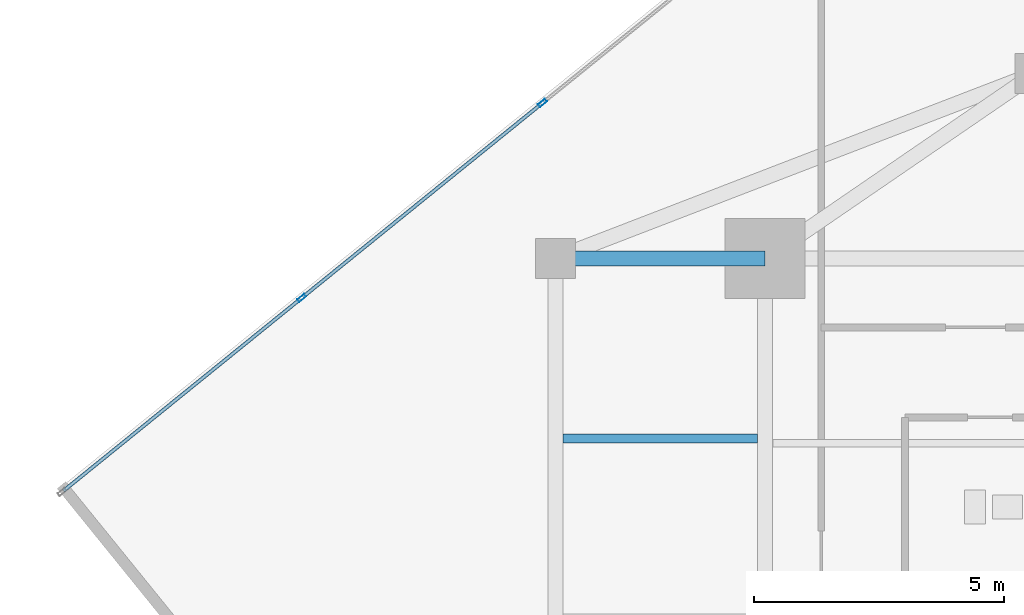
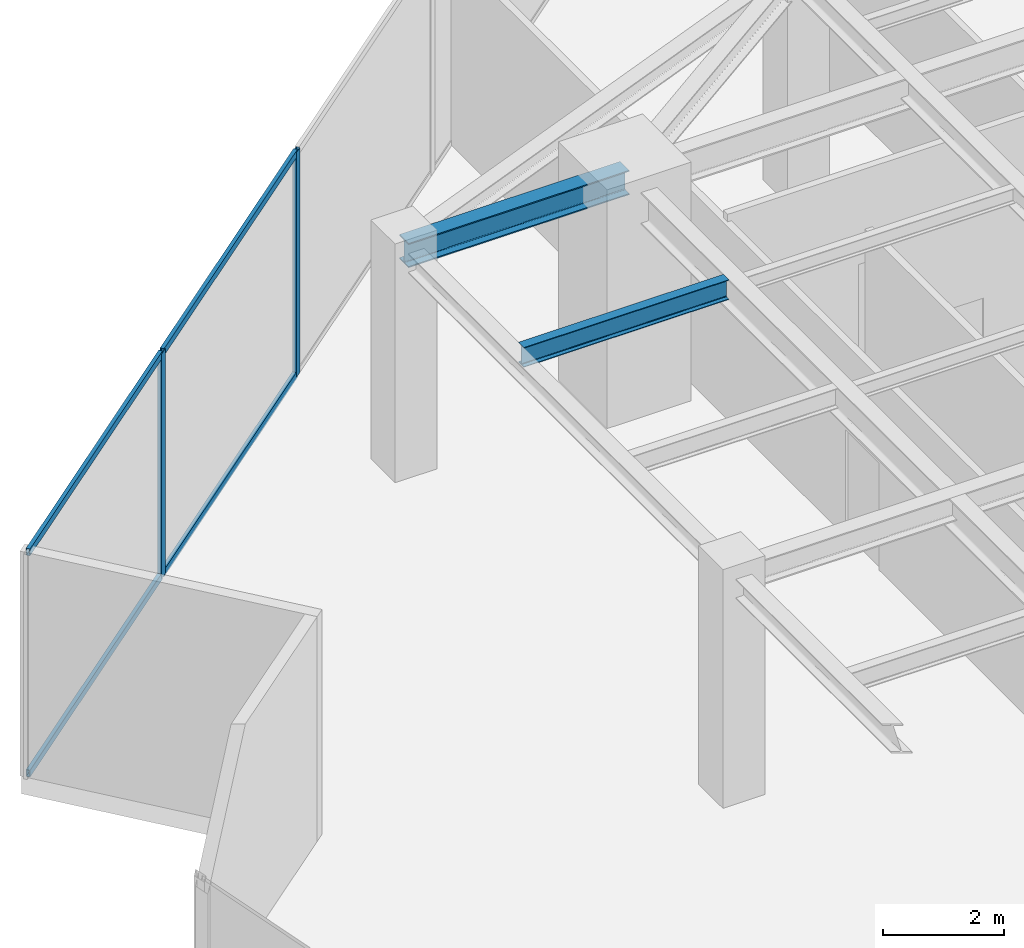
# One storey, part 11 of 22: 6 members, 2 beams, 1 element without a shape of its own.
"""IFC4 building model written with IfcOpenShell, lengths in metres."""

from ifc_helpers import new_model, si_unit, direction, frame, origin, origin_2d, place, context, subcontext, project, spatial, hollow_rectangle, i_section, extrude, source, transform, mapped, material, material_profile, profile_set, type_object, type_shapes, element, aggregate, save


model = new_model("IFC4")

# Units and contexts
model_context = context("Model", 3, precision=1e-05, world=origin(), true_north=direction((0.0, 1.0)))
body_context = subcontext(model_context, "Body", "Model", "MODEL_VIEW")
ifc_project = project(units=[si_unit("LENGTHUNIT", "METRE"), si_unit("AREAUNIT", "SQUARE_METRE"), si_unit("VOLUMEUNIT", "CUBIC_METRE"), si_unit("PLANEANGLEUNIT", "RADIAN"), si_unit("MASSUNIT", "GRAM", prefix="KILO")], contexts=[model_context])

# Site, building, storey
site_placement = place(None, origin())
site = spatial("IfcSite", under=ifc_project, at=site_placement, CompositionType="ELEMENT")
building_placement = place(site_placement, origin())
building = spatial("IfcBuilding", under=site, at=building_placement, Name="Krantzveldt Concourse Tower", CompositionType="ELEMENT")
storey_placement = place(building_placement, frame((0.0, 0.0, 262.60009765625)))
storey = spatial("IfcBuildingStorey", under=building, at=storey_placement, Name="L64", CompositionType="ELEMENT", Elevation=262.60009765625)

# Beams
ifc_material_1 = material(Name="Steel S355JR", Category="steel")
ifc_material_profile_1 = material_profile(ifc_material_1, i_section(OverallWidth=0.300048828125, OverallDepth=0.489990234375, WebThickness=0.011962890625, FlangeThickness=0.02294921875, FilletRadius=0.027099609375, at=origin_2d()), Name="Steel S355JR", Category="steel")
ifc_profile_set_1 = profile_set([ifc_material_profile_1], Name="Steel S355JR - HEA 500")
beam_type_1 = type_object("IfcBeamType", Name="BM-B-HEA500", PredefinedType="BEAM", material=ifc_profile_set_1)
shared_shape_1 = source(origin(), body_context, "Body", "SweptSolid", [
    extrude(i_section(OverallWidth=0.300048828125, OverallDepth=0.489990234375, WebThickness=0.011962890625, FlangeThickness=0.02294921875, FilletRadius=0.027099609375, at=origin_2d()), origin(), (0.0, 0.0, 1.0), 4.199951171875),
])
type_shapes(beam_type_1, [shared_shape_1])
beam_1_placement = place(storey_placement, frame((21.0, 37.5, 4.27490234375), z_axis=(1.0, 0.0, 0.0), x_axis=(0.0, 1.0, 0.0)))
element("IfcBeam", 1, at=beam_1_placement, inside=storey, type_object=beam_type_1, Name="L64 Tower Girder BR-RL3", PredefinedType="BEAM", context=body_context, shape_type="MappedRepresentation", body=[
    mapped(shared_shape_1, transform((0.0, 0.0, 0.0), x_axis=(1.0, 0.0, 0.0), y_axis=(0.0, 1.0, 0.0), z_axis=(0.0, 0.0, 1.0), scale=1.0)),
])
ifc_material_profile_2 = material_profile(ifc_material_1, i_section(OverallWidth=0.179931640625, OverallDepth=0.39990234375, WebThickness=0.008544921875, FlangeThickness=0.013427734375, FilletRadius=0.02099609375, at=origin_2d()), Name="Steel S355JR", Category="steel")
ifc_profile_set_2 = profile_set([ifc_material_profile_2], Name="Steel S355JR - IPE 400")
beam_type_2 = type_object("IfcBeamType", Name="BM-J-IPE400", PredefinedType="JOIST", material=ifc_profile_set_2)
shared_shape_2 = source(origin(), body_context, "Body", "SweptSolid", [
    extrude(i_section(OverallWidth=0.179931640625, OverallDepth=0.39990234375, WebThickness=0.008544921875, FlangeThickness=0.013427734375, FilletRadius=0.02099609375, at=origin_2d()), origin(), (0.0, 0.0, 1.0), 3.900146484375),
])
type_shapes(beam_type_2, [shared_shape_2])
beam_2_placement = place(storey_placement, frame((21.14990234375, 33.89990234375, 4.31982421875), z_axis=(1.0, 0.0, 0.0), x_axis=(0.0, 1.0, 0.0)))
element("IfcBeam", 2, at=beam_2_placement, inside=storey, type_object=beam_type_2, Name="L64 Secondary Floor Joist JW-4", PredefinedType="JOIST", context=body_context, shape_type="MappedRepresentation", body=[
    mapped(shared_shape_2, transform((0.0, 0.0, 0.0), x_axis=(1.0, 0.0, 0.0), y_axis=(0.0, 1.0, 0.0), z_axis=(0.0, 0.0, 1.0), scale=1.0)),
])

# Curtain wall, members
ifc_material_2 = material(Name="Anodised aluminium 6063-T6", Category="aluminium")
curtain_wall_type = type_object("IfcCurtainWallType", Name="CW5", PredefinedType="USERDEFINED", material=ifc_material_2)
curtain_wall_placement = place(storey_placement, origin())
curtain_wall = element("IfcCurtainWall", 3, at=curtain_wall_placement, inside=storey, type_object=curtain_wall_type, Name="CW-L64-F01", ObjectType="UNITISED CURTAIN WALL", PredefinedType="USERDEFINED")
ifc_material_profile_3 = material_profile(ifc_material_2, hollow_rectangle(XDim=0.070068359375, YDim=0.179931640625, WallThickness=0.0048828125, at=origin_2d()), Name="Anodised aluminium 6063-T6", Category="aluminium")
ifc_profile_set_3 = profile_set([ifc_material_profile_3], Name="Anodised aluminium 6063-T6 - ALU-MULL 180x70x5")
member_type_1 = type_object("IfcMemberType", Name="CW-MUL-180", PredefinedType="MULLION", material=ifc_profile_set_3)
shared_shape_3 = source(origin(), body_context, "Body", "SweptSolid", [
    extrude(hollow_rectangle(XDim=0.070068359375, YDim=0.179931640625, WallThickness=0.0048828125, at=origin_2d()), origin(), (0.0, 0.0, 1.0), 4.52001953125),
])
type_shapes(member_type_1, [shared_shape_3])
member_1_placement = place(storey_placement, frame((20.746337890625, 40.610595703125, 0.0), z_axis=(0.0, 0.0, 1.0), x_axis=(0.629320425502, -0.777145933558, 0.0)))
member_1 = element("IfcMember", 4, at=member_1_placement, type_object=member_type_1, Name="CW-SKY mullion 4", PredefinedType="MULLION", context=body_context, shape_type="MappedRepresentation", body=[
    mapped(shared_shape_3, transform((0.0, 0.0, 0.0), x_axis=(1.0, 0.0, 0.0), y_axis=(0.0, 1.0, 0.0), z_axis=(0.0, 0.0, 1.0), scale=1.0)),
])
member_2_placement = place(storey_placement, frame((15.92822265625, 36.708984375, 0.0), z_axis=(0.0, 0.0, 1.0), x_axis=(0.629320425502, -0.777145933558, 0.0)))
member_2 = element("IfcMember", 5, at=member_2_placement, type_object=member_type_1, Name="CW-SKY mullion 5", PredefinedType="MULLION", context=body_context, shape_type="MappedRepresentation", body=[
    mapped(shared_shape_3, transform((0.0, 0.0, 0.0), x_axis=(1.0, 0.0, 0.0), y_axis=(0.0, 1.0, 0.0), z_axis=(0.0, 0.0, 1.0), scale=1.0)),
])
ifc_material_profile_4 = material_profile(ifc_material_2, hollow_rectangle(XDim=0.070068359375, YDim=0.139892578125, WallThickness=0.0048828125, at=origin_2d()), Name="Anodised aluminium 6063-T6", Category="aluminium")
ifc_profile_set_4 = profile_set([ifc_material_profile_4], Name="Anodised aluminium 6063-T6 - ALU-TRAN 140x70x5")
member_type_2 = type_object("IfcMemberType", Name="CW-TRN-150", PredefinedType="USERDEFINED", material=ifc_profile_set_4)
shared_shape_4 = source(origin(), body_context, "Body", "SweptSolid", [
    extrude(hollow_rectangle(XDim=0.070068359375, YDim=0.139892578125, WallThickness=0.0048828125, at=origin_2d()), origin(), (0.0, 0.0, 1.0), 6.094970703125),
])
member_3_placement = place(storey_placement, frame((15.90087890625, 36.686767578125, 0.034912109375), z_axis=(-0.777138517507, -0.629329583452, 0.0), x_axis=(0.629329583452, -0.777138517507, 0.0)))
member_3 = element("IfcMember", 6, at=member_3_placement, type_object=member_type_2, Name="CW-SKY transom 5.1", ObjectType="TRANSOM", PredefinedType="USERDEFINED", context=body_context, shape_type="MappedRepresentation", body=[
    mapped(shared_shape_4, transform((0.0, 0.0, 0.0), x_axis=(1.0, 0.0, 0.0), y_axis=(0.0, 1.0, 0.0), z_axis=(0.0, 0.0, 1.0), scale=1.0)),
])
member_4_placement = place(storey_placement, frame((15.90087890625, 36.686767578125, 4.48486328125), z_axis=(-0.777138517507, -0.629329583452, 0.0), x_axis=(0.629329583452, -0.777138517507, 0.0)))
member_4 = element("IfcMember", 7, at=member_4_placement, type_object=member_type_2, Name="CW-SKY transom 5.2", ObjectType="TRANSOM", PredefinedType="USERDEFINED", context=body_context, shape_type="MappedRepresentation", body=[
    mapped(shared_shape_4, transform((0.0, 0.0, 0.0), x_axis=(1.0, 0.0, 0.0), y_axis=(0.0, 1.0, 0.0), z_axis=(0.0, 0.0, 1.0), scale=1.0)),
])
shared_shape_5 = source(origin(), body_context, "Body", "SweptSolid", [
    extrude(hollow_rectangle(XDim=0.070068359375, YDim=0.139892578125, WallThickness=0.0048828125, at=origin_2d()), origin(), (0.0, 0.0, 1.0), 6.1298828125),
])
type_shapes(member_type_2, [shared_shape_4, shared_shape_5])
member_5_placement = place(storey_placement, frame((20.71923828125, 40.588623046875, 0.034912109375), z_axis=(-0.777152113517, -0.629312793813, 0.0), x_axis=(0.629312793813, -0.777152113517, 0.0)))
member_5 = element("IfcMember", 8, at=member_5_placement, type_object=member_type_2, Name="CW-SKY transom 4.1", ObjectType="TRANSOM", PredefinedType="USERDEFINED", context=body_context, shape_type="MappedRepresentation", body=[
    mapped(shared_shape_5, transform((0.0, 0.0, 0.0), x_axis=(1.0, 0.0, 0.0), y_axis=(0.0, 1.0, 0.0), z_axis=(0.0, 0.0, 1.0), scale=1.0)),
])
member_6_placement = place(storey_placement, frame((20.71923828125, 40.588623046875, 4.48486328125), z_axis=(-0.777152113517, -0.629312793813, 0.0), x_axis=(0.629312793813, -0.777152113517, 0.0)))
member_6 = element("IfcMember", 9, at=member_6_placement, type_object=member_type_2, Name="CW-SKY transom 4.2", ObjectType="TRANSOM", PredefinedType="USERDEFINED", context=body_context, shape_type="MappedRepresentation", body=[
    mapped(shared_shape_5, transform((0.0, 0.0, 0.0), x_axis=(1.0, 0.0, 0.0), y_axis=(0.0, 1.0, 0.0), z_axis=(0.0, 0.0, 1.0), scale=1.0)),
])
aggregate(curtain_wall, [member_1, member_2, member_5, member_6, member_3, member_4])

save(model, "model.ifc")
